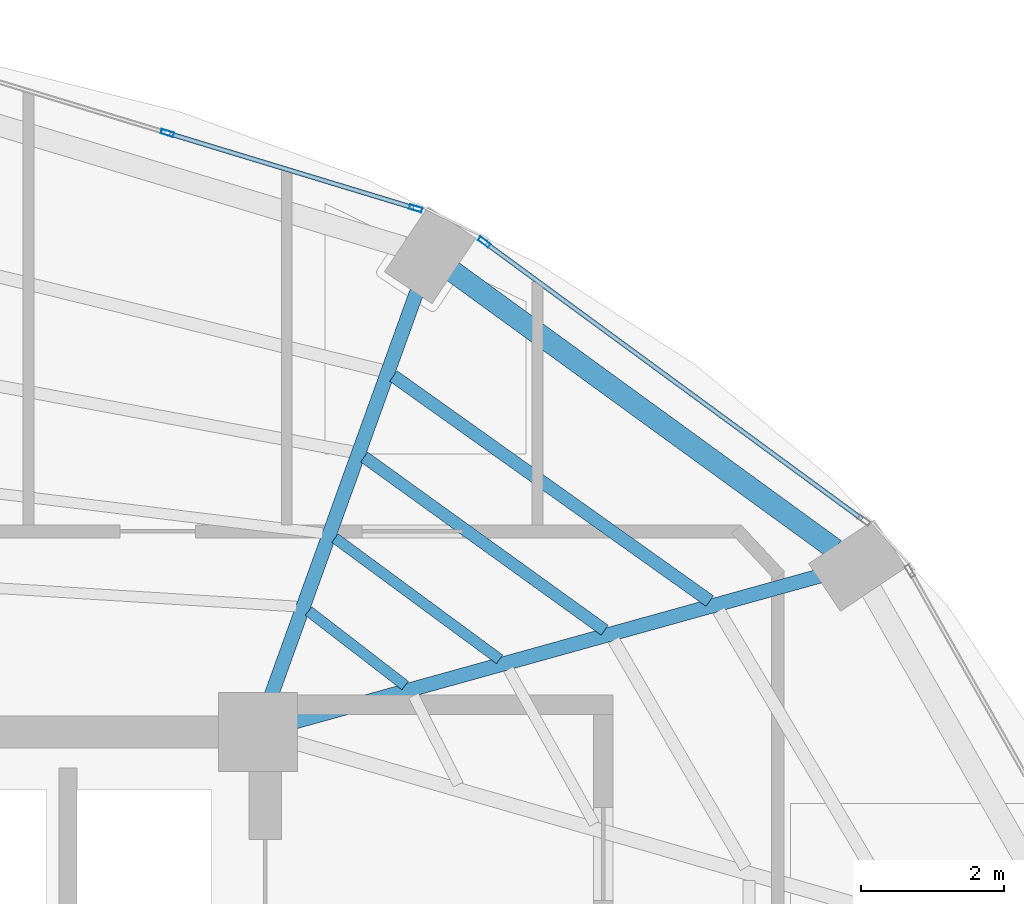
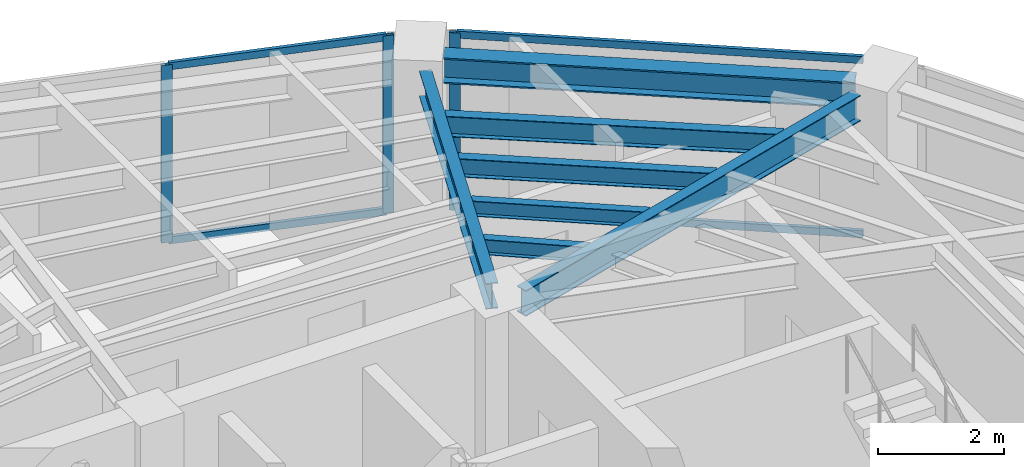
# One storey, part 4 of 13: 7 beams, 7 members, 2 elements without a shape of their own.
"""IFC4 building model written with IfcOpenShell, lengths in metres."""

from ifc_helpers import new_model, si_unit, direction, frame, origin, origin_2d, place, context, subcontext, project, spatial, hollow_rectangle, i_section, extrude, material, layer, layer_set, material_profile, profile_set, type_object, element, aggregate, save


model = new_model("IFC4")

# Units and contexts
model_context = context("Model", 3, precision=1e-05, world=origin(), true_north=direction((0.0, 1.0)))
body_context = subcontext(model_context, "Body", "Model", "MODEL_VIEW")
ifc_project = project(units=[si_unit("LENGTHUNIT", "METRE"), si_unit("AREAUNIT", "SQUARE_METRE"), si_unit("VOLUMEUNIT", "CUBIC_METRE"), si_unit("PLANEANGLEUNIT", "RADIAN"), si_unit("MASSUNIT", "GRAM", prefix="KILO")], contexts=[model_context])

# Site, building, storey
site_placement = place(None, origin())
site = spatial("IfcSite", under=ifc_project, at=site_placement, CompositionType="ELEMENT")
building_placement = place(site_placement, origin())
building = spatial("IfcBuilding", under=site, at=building_placement, Name="Lazwardi Medical Tower", CompositionType="ELEMENT")
storey_placement = place(building_placement, frame((0.0, 0.0, 295.152099609375)))
storey = spatial("IfcBuildingStorey", under=building, at=storey_placement, Name="L77", CompositionType="ELEMENT", Elevation=295.152099609375)

# Beams
ifc_material_1 = material(Name="Steel S355", Category="steel")
ifc_material_profile_1 = material_profile(ifc_material_1, i_section(OverallWidth=0.300048828125, OverallDepth=0.5, WebThickness=0.014404296875, FlangeThickness=0.028076171875, at=origin_2d()), Name="HEB 500")
ifc_profile_set_1 = profile_set([ifc_material_profile_1], Name="Steel S355")
beam_type_1 = type_object("IfcBeamType", Name="BM-RB-Z4", PredefinedType="BEAM", material=ifc_profile_set_1)
beam_1_placement = place(storey_placement, frame((53.644287109375, 38.15185546875, 3.197998046875), z_axis=(-0.808889916254, 0.587960120571, 0.0), x_axis=(-0.587960120571, -0.808889916254, 0.0)))
element("IfcBeam", 1, at=beam_1_placement, inside=storey, type_object=beam_type_1, Name="Ring beam RB-05 B06 L77", PredefinedType="BEAM", context=body_context, shape_type="SweptSolid", body=[
    extrude(i_section(OverallWidth=0.300048828125, OverallDepth=0.5, WebThickness=0.014404296875, FlangeThickness=0.028076171875, at=origin_2d()), origin(), (0.0, 0.0, 1.0), 6.587158203125),
])
ifc_material_profile_2 = material_profile(ifc_material_1, i_section(OverallWidth=0.199951171875, OverallDepth=0.5, WebThickness=0.01025390625, FlangeThickness=0.01611328125, at=origin_2d()), Name="IPE 500")
ifc_profile_set_2 = profile_set([ifc_material_profile_2], Name="Steel S355")
beam_type_2 = type_object("IfcBeamType", Name="BM-RG-W3", PredefinedType="BEAM", material=ifc_profile_set_2)
beam_2_placement = place(storey_placement, frame((53.444091796875, 37.779296875, 3.197998046875), z_axis=(-0.963504112843, -0.267693527254, 0.0), x_axis=(0.267693527254, -0.963504112843, 0.0)))
element("IfcBeam", 2, at=beam_2_placement, inside=storey, type_object=beam_type_2, Name="Radial girder RG-04 R06 L77", PredefinedType="BEAM", context=body_context, shape_type="SweptSolid", body=[
    extrude(i_section(OverallWidth=0.199951171875, OverallDepth=0.5, WebThickness=0.01025390625, FlangeThickness=0.01611328125, at=origin_2d()), origin(), (0.0, 0.0, 1.0), 7.606201171875),
])
beam_3_placement = place(storey_placement, frame((47.81884765625, 41.750732421875, 3.197998046875), z_axis=(-0.339348661818, -0.940660664492, 0.0), x_axis=(0.940660664492, -0.339348661818, 0.0)))
element("IfcBeam", 3, at=beam_3_placement, inside=storey, type_object=beam_type_2, Name="Radial girder RG-04 R07 L77", PredefinedType="BEAM", context=body_context, shape_type="SweptSolid", body=[
    extrude(i_section(OverallWidth=0.199951171875, OverallDepth=0.5, WebThickness=0.01025390625, FlangeThickness=0.01611328125, at=origin_2d()), origin(), (0.0, 0.0, 1.0), 6.003662109375),
])
ifc_material_profile_3 = material_profile(ifc_material_1, i_section(OverallWidth=0.179931640625, OverallDepth=0.39990234375, WebThickness=0.008544921875, FlangeThickness=0.013427734375, at=origin_2d()), Name="IPE 400")
ifc_profile_set_3 = profile_set([ifc_material_profile_3], Name="Steel S355")
beam_type_3 = type_object("IfcBeamType", Name="BM-SJ-01", PredefinedType="JOIST", material=ifc_profile_set_3)
beam_4_placement = place(storey_placement, frame((51.901123046875, 37.42724609375, 3.247802734375), z_axis=(-0.814846949116, 0.579676159176, 0.0), x_axis=(-0.579676159176, -0.814846949116, 0.0)))
element("IfcBeam", 4, at=beam_4_placement, inside=storey, type_object=beam_type_3, Name="Secondary joist SJ-01 R1 B06 L77", PredefinedType="JOIST", context=body_context, shape_type="SweptSolid", body=[
    extrude(i_section(OverallWidth=0.179931640625, OverallDepth=0.39990234375, WebThickness=0.008544921875, FlangeThickness=0.013427734375, at=origin_2d()), origin(), (0.0, 0.0, 1.0), 5.4150390625),
])
ifc_material_profile_4 = material_profile(ifc_material_1, i_section(OverallWidth=0.169921875, OverallDepth=0.360107421875, WebThickness=0.008056640625, FlangeThickness=0.0126953125, at=origin_2d()), Name="IPE 360")
ifc_profile_set_4 = profile_set([ifc_material_profile_4], Name="Steel S355")
beam_type_4 = type_object("IfcBeamType", Name="BM-SJ-02", PredefinedType="JOIST", material=ifc_profile_set_4)
beam_5_placement = place(storey_placement, frame((50.435546875, 37.0205078125, 3.267822265625), z_axis=(-0.811472726235, 0.58439029302, 0.0), x_axis=(-0.58439029302, -0.811472726235, 0.0)))
element("IfcBeam", 5, at=beam_5_placement, inside=storey, type_object=beam_type_4, Name="Secondary joist SJ-02 R2 B06 L77", PredefinedType="JOIST", context=body_context, shape_type="SweptSolid", body=[
    extrude(i_section(OverallWidth=0.169921875, OverallDepth=0.360107421875, WebThickness=0.008056640625, FlangeThickness=0.0126953125, at=origin_2d()), origin(), (0.0, 0.0, 1.0), 4.1337890625),
])
ifc_material_profile_5 = material_profile(ifc_material_1, i_section(OverallWidth=0.14990234375, OverallDepth=0.300048828125, WebThickness=0.007080078125, FlangeThickness=0.0107421875, at=origin_2d()), Name="IPE 300")
ifc_profile_set_5 = profile_set([ifc_material_profile_5], Name="Steel S355")
beam_type_5 = type_object("IfcBeamType", Name="BM-SJ-03", PredefinedType="JOIST", material=ifc_profile_set_5)
beam_6_placement = place(storey_placement, frame((48.970458984375, 36.614013671875, 3.2978515625), z_axis=(-0.805236450776, 0.592953841662, 0.0), x_axis=(-0.592953841662, -0.805236450776, 0.0)))
element("IfcBeam", 6, at=beam_6_placement, inside=storey, type_object=beam_type_5, Name="Secondary joist SJ-03 R3 B06 L77", PredefinedType="JOIST", context=body_context, shape_type="SweptSolid", body=[
    extrude(i_section(OverallWidth=0.14990234375, OverallDepth=0.300048828125, WebThickness=0.007080078125, FlangeThickness=0.0107421875, at=origin_2d()), origin(), (0.0, 0.0, 1.0), 2.853271484375),
])
beam_7_placement = place(storey_placement, frame((47.652587890625, 36.2490234375, 3.2978515625), z_axis=(-0.792010197197, 0.610507860339, 0.0), x_axis=(-0.610507860339, -0.792010197197, 0.0)))
element("IfcBeam", 7, at=beam_7_placement, inside=storey, type_object=beam_type_5, Name="Secondary joist SJ-03 R4 B06 L77", PredefinedType="JOIST", context=body_context, shape_type="SweptSolid", body=[
    extrude(i_section(OverallWidth=0.14990234375, OverallDepth=0.300048828125, WebThickness=0.007080078125, FlangeThickness=0.0107421875, at=origin_2d()), origin(), (0.0, 0.0, 1.0), 1.70166015625),
])

# Curtain wall, member
ifc_material_2 = material(Name="Anodised bronze aluminium and solar control glazing", Category="aluminium")
ifc_layer = layer(ifc_material_2, 0.18994140625)
ifc_layer_set = layer_set([ifc_layer], Name="Anodised bronze aluminium and solar control glazing")
curtain_wall_type = type_object("IfcCurtainWallType", Name="CW-SYS-04", PredefinedType="NOTDEFINED", material=ifc_layer_set)
curtain_wall_1_placement = place(storey_placement, origin())
curtain_wall_1 = element("IfcCurtainWall", 8, at=curtain_wall_1_placement, inside=storey, type_object=curtain_wall_type, Name="L77 Unitised bronze curtain wall CW-04", PredefinedType="NOTDEFINED")
ifc_material_3 = material(Name="Anodised bronze aluminium", Category="aluminium")
ifc_material_profile_6 = material_profile(ifc_material_3, hollow_rectangle(XDim=0.06494140625, YDim=0.179931640625, WallThickness=0.00390625, at=origin_2d()), Name="ALU-MULLION 180x65x4")
ifc_profile_set_6 = profile_set([ifc_material_profile_6], Name="Anodised bronze aluminium")
member_type_1 = type_object("IfcMemberType", Name="CW-MUL-03", PredefinedType="MULLION", material=ifc_profile_set_6)
member_1_placement = place(storey_placement, frame((48.75537109375, 42.434814453125, 0.0), z_axis=(0.0, 0.0, 1.0), x_axis=(-0.591268230971, -0.806474971121, 0.0)))
member_1 = element("IfcMember", 9, at=member_1_placement, type_object=member_type_1, Name="CW-04 mullion 2", PredefinedType="MULLION", context=body_context, shape_type="SweptSolid", body=[
    extrude(hollow_rectangle(XDim=0.06494140625, YDim=0.179931640625, WallThickness=0.00390625, at=origin_2d()), origin(), (0.0, 0.0, 1.0), 3.447998046875),
])

# Curtain wall, members
curtain_wall_2_placement = place(storey_placement, origin())
curtain_wall_2 = element("IfcCurtainWall", 10, at=curtain_wall_2_placement, inside=storey, type_object=curtain_wall_type, Name="L77 Unitised bronze curtain wall CW-04", PredefinedType="NOTDEFINED")
member_2_placement = place(storey_placement, frame((47.7998046875, 42.903564453125, 0.0), z_axis=(0.0, 0.0, 1.0), x_axis=(-0.290581889515, -0.956850126972, 0.0)))
member_2 = element("IfcMember", 11, at=member_2_placement, type_object=member_type_1, Name="CW-04 mullion 1", PredefinedType="MULLION", context=body_context, shape_type="SweptSolid", body=[
    extrude(hollow_rectangle(XDim=0.06494140625, YDim=0.179931640625, WallThickness=0.00390625, at=origin_2d()), origin(), (0.0, 0.0, 1.0), 3.447998046875),
])
member_3_placement = place(storey_placement, frame((44.33642578125, 43.955322265625, 0.0), z_axis=(0.0, 0.0, 1.0), x_axis=(-0.290581889515, -0.956850126972, 0.0)))
member_3 = element("IfcMember", 12, at=member_3_placement, type_object=member_type_1, Name="CW-04 mullion 2", PredefinedType="MULLION", context=body_context, shape_type="SweptSolid", body=[
    extrude(hollow_rectangle(XDim=0.06494140625, YDim=0.179931640625, WallThickness=0.00390625, at=origin_2d()), origin(), (0.0, 0.0, 1.0), 3.447998046875),
])

# Member
ifc_material_profile_7 = material_profile(ifc_material_3, hollow_rectangle(XDim=0.06494140625, YDim=0.139892578125, WallThickness=0.00341796875, at=origin_2d()), Name="ALU-TRANSOM 140x65x3.5")
ifc_profile_set_7 = profile_set([ifc_material_profile_7], Name="Anodised bronze aluminium")
member_type_2 = type_object("IfcMemberType", Name="CW-TRN-03", PredefinedType="USERDEFINED", material=ifc_profile_set_7)
member_4_placement = place(storey_placement, frame((54.02587890625, 38.57080078125, 0.032470703125), z_axis=(-0.806471831148, 0.591272513791, 0.0), x_axis=(-0.591272513791, -0.806471831148, 0.0)))
member_4 = element("IfcMember", 13, at=member_4_placement, type_object=member_type_2, Name="CW-04 transom 1.1", ObjectType="TRANSOM", PredefinedType="USERDEFINED", context=body_context, shape_type="SweptSolid", body=[
    extrude(hollow_rectangle(XDim=0.06494140625, YDim=0.139892578125, WallThickness=0.00341796875, at=origin_2d()), origin(), (0.0, 0.0, 1.0), 6.5029296875),
])

member_5_placement = place(storey_placement, frame((54.02587890625, 38.57080078125, 3.415283203125), z_axis=(-0.806471831148, 0.591272513791, 0.0), x_axis=(-0.591272513791, -0.806471831148, 0.0)))
member_5 = element("IfcMember", 14, at=member_5_placement, type_object=member_type_2, Name="CW-04 transom 1.2", ObjectType="TRANSOM", PredefinedType="USERDEFINED", context=body_context, shape_type="SweptSolid", body=[
    extrude(hollow_rectangle(XDim=0.06494140625, YDim=0.139892578125, WallThickness=0.00341796875, at=origin_2d()), origin(), (0.0, 0.0, 1.0), 6.5029296875),
])

aggregate(curtain_wall_1, [member_1, member_4, member_5])

member_6_placement = place(storey_placement, frame((47.7685546875, 42.9130859375, 0.032470703125), z_axis=(-0.956862505902, 0.290541124109, 0.0), x_axis=(-0.290541124109, -0.956862505902, 0.0)))
member_6 = element("IfcMember", 15, at=member_6_placement, type_object=member_type_2, Name="CW-04 transom 1.1", ObjectType="TRANSOM", PredefinedType="USERDEFINED", context=body_context, shape_type="SweptSolid", body=[
    extrude(hollow_rectangle(XDim=0.06494140625, YDim=0.139892578125, WallThickness=0.00341796875, at=origin_2d()), origin(), (0.0, 0.0, 1.0), 3.554443359375),
])

member_7_placement = place(storey_placement, frame((47.7685546875, 42.9130859375, 3.415283203125), z_axis=(-0.956862505902, 0.290541124109, 0.0), x_axis=(-0.290541124109, -0.956862505902, 0.0)))
member_7 = element("IfcMember", 16, at=member_7_placement, type_object=member_type_2, Name="CW-04 transom 1.2", ObjectType="TRANSOM", PredefinedType="USERDEFINED", context=body_context, shape_type="SweptSolid", body=[
    extrude(hollow_rectangle(XDim=0.06494140625, YDim=0.139892578125, WallThickness=0.00341796875, at=origin_2d()), origin(), (0.0, 0.0, 1.0), 3.554443359375),
])

aggregate(curtain_wall_2, [member_2, member_3, member_6, member_7])

save(model, "model.ifc")
